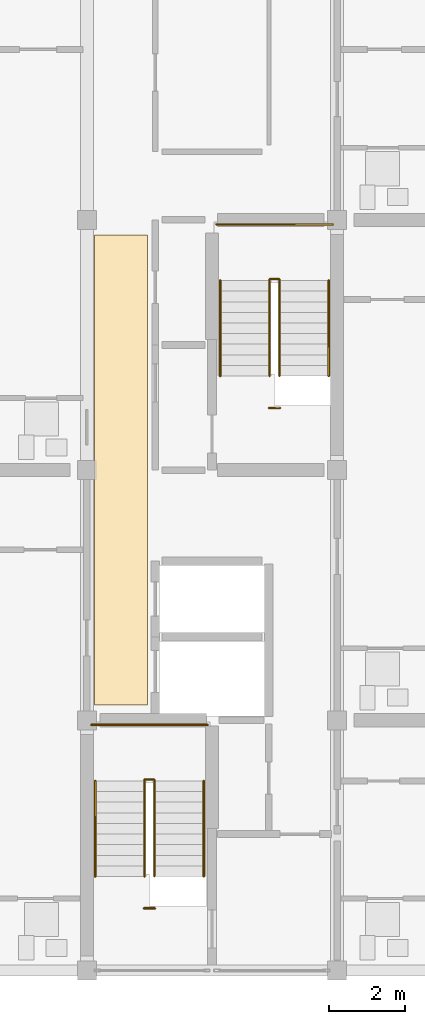
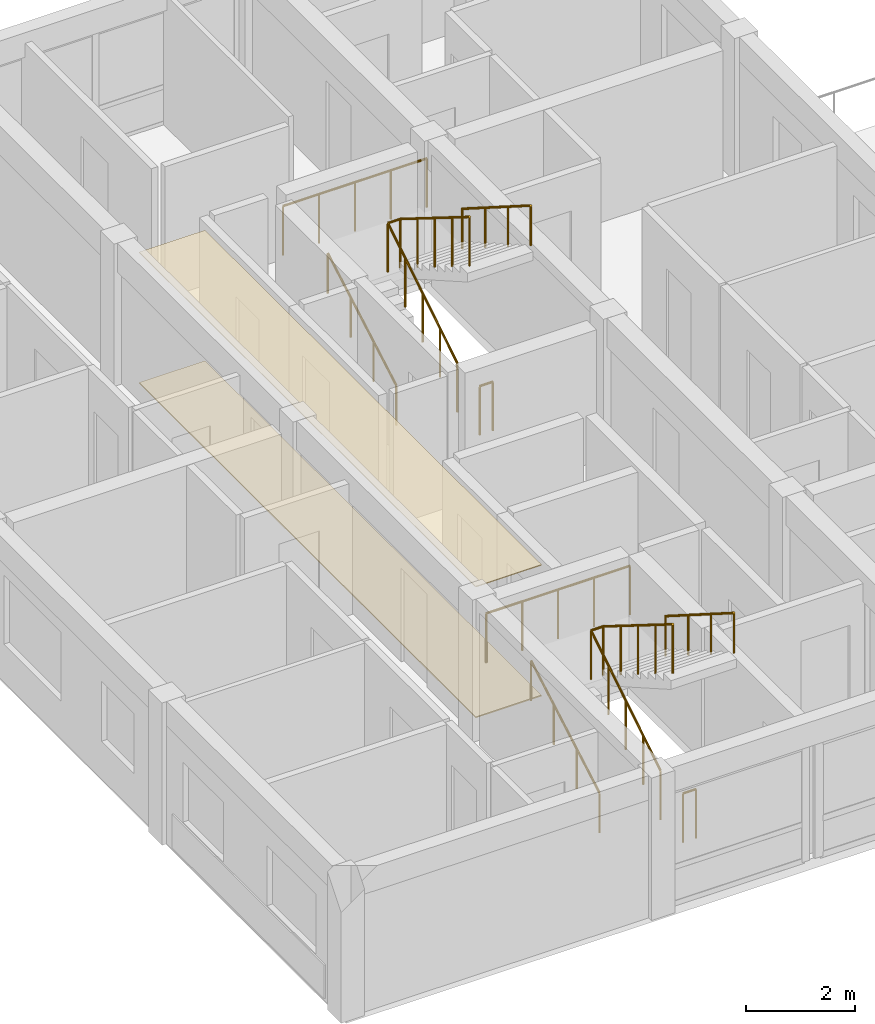
# One storey, part 45 of 51: 10 railings, 2 coverings.
"""IFC4 building model written with IfcOpenShell, lengths in metres."""

from ifc_helpers import new_model, si_unit, direction, frame, origin, origin_2d, place, context, subcontext, project, spatial, polyline, circle, outline, extrude, material, layer, layer_set, type_object, element, save


model = new_model("IFC4")

# Units and contexts
model_context = context("Model", 3, precision=1e-05, world=origin(), true_north=direction((0.0, 1.0)))
body_context = subcontext(model_context, "Body", "Model", "MODEL_VIEW")
ifc_project = project(units=[si_unit("LENGTHUNIT", "METRE"), si_unit("AREAUNIT", "SQUARE_METRE"), si_unit("VOLUMEUNIT", "CUBIC_METRE"), si_unit("PLANEANGLEUNIT", "RADIAN"), si_unit("MASSUNIT", "GRAM", prefix="KILO")], contexts=[model_context])

# Site, building, storey
site_placement = place(None, origin())
site = spatial("IfcSite", under=ifc_project, at=site_placement, CompositionType="ELEMENT")
building_placement = place(site_placement, origin())
building = spatial("IfcBuilding", under=site, at=building_placement, Name="Kernevlak Ridge Housing Community", CompositionType="ELEMENT")
storey_placement = place(building_placement, frame((0.0, 0.0, 8.39990234375)))
storey = spatial("IfcBuildingStorey", under=building, at=storey_placement, Name="L02", CompositionType="ELEMENT", Elevation=8.39990234375)

# Coverings
ifc_material_1 = material(Name="Acoustic perforated gypsum ceiling board")
ifc_layer_1 = layer(ifc_material_1, 0.02001953125, Name="Acoustic perforated gypsum ceiling board")
ifc_layer_set_1 = layer_set([ifc_layer_1], Name="Acoustic perforated gypsum ceiling board")
covering_type_1 = type_object("IfcCoveringType", Name="CV-01", PredefinedType="CEILING", material=ifc_layer_set_1)
covering_1_placement = place(storey_placement, frame((0.0, 0.0, 2.940185546875)))
element("IfcCovering", 1, at=covering_1_placement, inside=storey, type_object=covering_type_1, Name="Block C L02 lobby acoustic ceiling", PredefinedType="CEILING", context=body_context, shape_type="SweptSolid", body=[
    extrude(outline(polyline([(134.199951171875, 22.60009765625), (134.199951171875, 35.0), (132.800048828125, 35.0), (132.800048828125, 22.60009765625), (134.199951171875, 22.60009765625)])), origin(), (0.0, 0.0, 1.0), 0.02001953125),
])
ifc_material_2 = material(Name="Polished pale terrazzo tile flooring")
ifc_layer_2 = layer(ifc_material_2, 0.02490234375, Name="Polished pale terrazzo tile flooring")
ifc_layer_set_2 = layer_set([ifc_layer_2], Name="Polished pale terrazzo tile flooring")
covering_type_2 = type_object("IfcCoveringType", Name="CV-02", PredefinedType="FLOORING", material=ifc_layer_set_2)
covering_2_placement = place(storey_placement, origin())
element("IfcCovering", 2, at=covering_2_placement, inside=storey, type_object=covering_type_2, Name="Block C L02 lobby terrazzo flooring", PredefinedType="FLOORING", context=body_context, shape_type="SweptSolid", body=[
    extrude(outline(polyline([(134.199951171875, 22.60009765625), (134.199951171875, 35.0), (132.800048828125, 35.0), (132.800048828125, 22.60009765625), (134.199951171875, 22.60009765625)])), origin(), (0.0, 0.0, 1.0), 0.025146484375),
])

# Railings
ifc_material_3 = material(Name="Steel S355", Category="steel")
railing_type_1 = type_object("IfcRailingType", Name="GR-02", PredefinedType="GUARDRAIL", material=ifc_material_3)
railing_1_placement = place(storey_placement, frame((134.110107421875, 17.239990234375, 0.0)))
element("IfcRailing", 3, at=railing_1_placement, inside=storey, type_object=railing_type_1, Name="Stair ST-C1 L02 well slot guard", PredefinedType="GUARDRAIL", context=body_context, shape_type="SweptSolid", body=[
    extrude(circle(Radius=0.02392578125, at=origin_2d()), frame((0.0, 0.0, 1.09619140625), z_axis=(1.0, 0.0, 0.0), x_axis=(0.0, 1.0, 0.0)), (0.0, 0.0, 1.0), 0.27978515625),
    extrude(circle(Radius=0.02099609375, at=origin_2d()), origin(), (0.0, 0.0, 1.0), 1.072021484375),
    extrude(circle(Radius=0.02099609375, at=origin_2d()), frame((0.27978515625, 0.0, 0.0)), (0.0, 0.0, 1.0), 1.072021484375),
])
railing_2_placement = place(storey_placement, frame((134.1201171875, 18.080078125, 0.0)))
element("IfcRailing", 4, at=railing_2_placement, inside=storey, type_object=railing_type_1, Name="Stair ST-C1 L02 inner well guardrail", PredefinedType="GUARDRAIL", context=body_context, shape_type="SweptSolid", body=[
    extrude(circle(Radius=0.02392578125, at=origin_2d()), frame((0.0, 0.0, 1.09619140625), z_axis=(0.0, 0.847966497998, 0.530049826217), x_axis=(-1.0, 0.0, 0.0)), (0.0, 0.0, 1.0), 3.018798828125),
    extrude(circle(Radius=0.02392578125, at=origin_2d()), frame((0.0, 2.559814453125, 2.6962890625), z_axis=(1.0, 0.0, 0.0), x_axis=(0.0, 1.0, 0.0)), (0.0, 0.0, 1.0), 0.259765625),
    extrude(circle(Radius=0.02392578125, at=origin_2d()), frame((0.259765625, 2.559814453125, 2.6962890625), z_axis=(0.0, -0.847966497998, 0.530049826217), x_axis=(1.0, 0.0, 0.0)), (0.0, 0.0, 1.0), 3.018798828125),
    extrude(circle(Radius=0.02099609375, at=origin_2d()), origin(), (0.0, 0.0, 1.0), 1.072021484375),
    extrude(circle(Radius=0.02099609375, at=origin_2d()), frame((0.0, 0.639892578125, 0.39990234375)), (0.0, 0.0, 1.0), 1.072021484375),
    extrude(circle(Radius=0.02099609375, at=origin_2d()), frame((0.0, 1.27978515625, 0.800048828125)), (0.0, 0.0, 1.0), 1.072021484375),
    extrude(circle(Radius=0.02099609375, at=origin_2d()), frame((0.0, 1.919921875, 1.2001953125)), (0.0, 0.0, 1.0), 1.072021484375),
    extrude(circle(Radius=0.02099609375, at=origin_2d()), frame((0.0, 2.559814453125, 1.60009765625)), (0.0, 0.0, 1.0), 1.072021484375),
    extrude(circle(Radius=0.02099609375, at=origin_2d()), frame((0.259765625, 2.559814453125, 1.60009765625)), (0.0, 0.0, 1.0), 1.072021484375),
    extrude(circle(Radius=0.02099609375, at=origin_2d()), frame((0.259765625, 1.919921875, 2.0)), (0.0, 0.0, 1.0), 1.072021484375),
    extrude(circle(Radius=0.02099609375, at=origin_2d()), frame((0.259765625, 1.27978515625, 2.400146484375)), (0.0, 0.0, 1.0), 1.072021484375),
    extrude(circle(Radius=0.02099609375, at=origin_2d()), frame((0.259765625, 0.639892578125, 2.80029296875)), (0.0, 0.0, 1.0), 1.072021484375),
    extrude(circle(Radius=0.02099609375, at=origin_2d()), frame((0.259765625, 0.0, 3.2001953125)), (0.0, 0.0, 1.0), 1.072021484375),
])
railing_3_placement = place(storey_placement, frame((132.719970703125, 22.080078125, 1.60009765625)))
element("IfcRailing", 5, at=railing_3_placement, inside=storey, type_object=railing_type_1, Name="Stair ST-C1 L02 half-landing guard", PredefinedType="GUARDRAIL", context=body_context, shape_type="SweptSolid", body=[
    extrude(circle(Radius=0.02392578125, at=origin_2d()), frame((0.0, 0.0, 1.09619140625), z_axis=(1.0, 0.0, 0.0), x_axis=(0.0, 1.0, 0.0)), (0.0, 0.0, 1.0), 3.06005859375),
    extrude(circle(Radius=0.02099609375, at=origin_2d()), origin(), (0.0, 0.0, 1.0), 1.072021484375),
    extrude(circle(Radius=0.02099609375, at=origin_2d()), frame((0.76513671875, 0.0, 0.0)), (0.0, 0.0, 1.0), 1.072021484375),
    extrude(circle(Radius=0.02099609375, at=origin_2d()), frame((1.530029296875, 0.0, 0.0)), (0.0, 0.0, 1.0), 1.072021484375),
    extrude(circle(Radius=0.02099609375, at=origin_2d()), frame((2.294921875, 0.0, 0.0)), (0.0, 0.0, 1.0), 1.072021484375),
    extrude(circle(Radius=0.02099609375, at=origin_2d()), frame((3.06005859375, 0.0, 0.0)), (0.0, 0.0, 1.0), 1.072021484375),
])
railing_4_placement = place(storey_placement, frame((137.409912109375, 30.43994140625, 0.0)))
element("IfcRailing", 6, at=railing_4_placement, inside=storey, type_object=railing_type_1, Name="Stair ST-C2 L02 well slot guard", PredefinedType="GUARDRAIL", context=body_context, shape_type="SweptSolid", body=[
    extrude(circle(Radius=0.02392578125, at=origin_2d()), frame((0.0, 0.0, 1.09619140625), z_axis=(1.0, 0.0, 0.0), x_axis=(0.0, 1.0, 0.0)), (0.0, 0.0, 1.0), 0.280029296875),
    extrude(circle(Radius=0.02099609375, at=origin_2d()), origin(), (0.0, 0.0, 1.0), 1.072021484375),
    extrude(circle(Radius=0.02099609375, at=origin_2d()), frame((0.280029296875, 0.0, 0.0)), (0.0, 0.0, 1.0), 1.072021484375),
])
railing_5_placement = place(storey_placement, frame((137.419921875, 31.280029296875, 0.0)))
element("IfcRailing", 7, at=railing_5_placement, inside=storey, type_object=railing_type_1, Name="Stair ST-C2 L02 inner well guardrail", PredefinedType="GUARDRAIL", context=body_context, shape_type="SweptSolid", body=[
    extrude(circle(Radius=0.02392578125, at=origin_2d()), frame((0.0, 0.0, 1.09619140625), z_axis=(0.0, 0.847989217509, 0.530013478119), x_axis=(-1.0, 0.0, 0.0)), (0.0, 0.0, 1.0), 3.01904296875),
    extrude(circle(Radius=0.02392578125, at=origin_2d()), frame((0.0, 2.56005859375, 2.6962890625), z_axis=(1.0, 0.0, 0.0), x_axis=(0.0, 1.0, 0.0)), (0.0, 0.0, 1.0), 0.260009765625),
    extrude(circle(Radius=0.02392578125, at=origin_2d()), frame((0.260009765625, 2.56005859375, 2.6962890625), z_axis=(0.0, -0.847989217509, 0.530013478119), x_axis=(1.0, 0.0, 0.0)), (0.0, 0.0, 1.0), 3.01904296875),
    extrude(circle(Radius=0.02099609375, at=origin_2d()), origin(), (0.0, 0.0, 1.0), 1.072021484375),
    extrude(circle(Radius=0.02099609375, at=origin_2d()), frame((0.0, 0.64013671875, 0.39990234375)), (0.0, 0.0, 1.0), 1.072021484375),
    extrude(circle(Radius=0.02099609375, at=origin_2d()), frame((0.0, 1.280029296875, 0.800048828125)), (0.0, 0.0, 1.0), 1.072021484375),
    extrude(circle(Radius=0.02099609375, at=origin_2d()), frame((0.0, 1.919921875, 1.2001953125)), (0.0, 0.0, 1.0), 1.072021484375),
    extrude(circle(Radius=0.02099609375, at=origin_2d()), frame((0.0, 2.56005859375, 1.60009765625)), (0.0, 0.0, 1.0), 1.072021484375),
    extrude(circle(Radius=0.02099609375, at=origin_2d()), frame((0.260009765625, 2.56005859375, 1.60009765625)), (0.0, 0.0, 1.0), 1.072021484375),
    extrude(circle(Radius=0.02099609375, at=origin_2d()), frame((0.260009765625, 1.919921875, 2.0)), (0.0, 0.0, 1.0), 1.072021484375),
    extrude(circle(Radius=0.02099609375, at=origin_2d()), frame((0.260009765625, 1.280029296875, 2.400146484375)), (0.0, 0.0, 1.0), 1.072021484375),
    extrude(circle(Radius=0.02099609375, at=origin_2d()), frame((0.260009765625, 0.64013671875, 2.80029296875)), (0.0, 0.0, 1.0), 1.072021484375),
    extrude(circle(Radius=0.02099609375, at=origin_2d()), frame((0.260009765625, 0.0, 3.2001953125)), (0.0, 0.0, 1.0), 1.072021484375),
])
railing_6_placement = place(storey_placement, frame((136.02001953125, 35.280029296875, 1.60009765625)))
element("IfcRailing", 8, at=railing_6_placement, inside=storey, type_object=railing_type_1, Name="Stair ST-C2 L02 half-landing guard", PredefinedType="GUARDRAIL", context=body_context, shape_type="SweptSolid", body=[
    extrude(circle(Radius=0.02392578125, at=origin_2d()), frame((0.0, 0.0, 1.09619140625), z_axis=(1.0, 0.0, 0.0), x_axis=(0.0, 1.0, 0.0)), (0.0, 0.0, 1.0), 3.06005859375),
    extrude(circle(Radius=0.02099609375, at=origin_2d()), origin(), (0.0, 0.0, 1.0), 1.072021484375),
    extrude(circle(Radius=0.02099609375, at=origin_2d()), frame((0.76513671875, 0.0, 0.0)), (0.0, 0.0, 1.0), 1.072021484375),
    extrude(circle(Radius=0.02099609375, at=origin_2d()), frame((1.530029296875, 0.0, 0.0)), (0.0, 0.0, 1.0), 1.072021484375),
    extrude(circle(Radius=0.02099609375, at=origin_2d()), frame((2.294921875, 0.0, 0.0)), (0.0, 0.0, 1.0), 1.072021484375),
    extrude(circle(Radius=0.02099609375, at=origin_2d()), frame((3.06005859375, 0.0, 0.0)), (0.0, 0.0, 1.0), 1.072021484375),
])
ifc_material_4 = material(Name="Stainless steel EN 1.4401", Category="steel")
railing_type_2 = type_object("IfcRailingType", Name="HR-01", PredefinedType="HANDRAIL", material=ifc_material_4)
railing_7_placement = place(storey_placement, frame((132.820068359375, 18.080078125, 0.16015625)))
element("IfcRailing", 9, at=railing_7_placement, inside=storey, type_object=railing_type_2, Name="Stair ST-C1 L02 flight 1 handrail", PredefinedType="HANDRAIL", context=body_context, shape_type="SweptSolid", body=[
    extrude(circle(Radius=0.02392578125, at=origin_2d()), frame((0.0, 0.0, 0.89599609375), z_axis=(0.0, 0.868253494771, 0.496120820787), x_axis=(-1.0, 0.0, 0.0)), (0.0, 0.0, 1.0), 2.90234375),
    extrude(circle(Radius=0.02099609375, at=origin_2d()), origin(), (0.0, 0.0, 1.0), 0.871826171875),
    extrude(circle(Radius=0.02099609375, at=origin_2d()), frame((0.0, 0.840087890625, 0.47998046875)), (0.0, 0.0, 1.0), 0.871826171875),
    extrude(circle(Radius=0.02099609375, at=origin_2d()), frame((0.0, 1.679931640625, 0.9599609375)), (0.0, 0.0, 1.0), 0.871826171875),
    extrude(circle(Radius=0.02099609375, at=origin_2d()), frame((0.0, 2.52001953125, 1.43994140625)), (0.0, 0.0, 1.0), 0.871826171875),
])
railing_8_placement = place(storey_placement, frame((135.679931640625, 20.60009765625, 1.60009765625)))
element("IfcRailing", 10, at=railing_8_placement, inside=storey, type_object=railing_type_2, Name="Stair ST-C1 L02 flight 2 handrail", PredefinedType="HANDRAIL", context=body_context, shape_type="SweptSolid", body=[
    extrude(circle(Radius=0.02392578125, at=origin_2d()), frame((0.0, 0.0, 0.89599609375), z_axis=(0.0, -0.844199891302, 0.536028491338), x_axis=(1.0, 0.0, 0.0)), (0.0, 0.0, 1.0), 2.985107421875),
    extrude(circle(Radius=0.02099609375, at=origin_2d()), origin(), (0.0, 0.0, 1.0), 0.871826171875),
    extrude(circle(Radius=0.02099609375, at=origin_2d()), frame((0.0, -0.840087890625, 0.533447265625)), (0.0, 0.0, 1.0), 0.871826171875),
    extrude(circle(Radius=0.02099609375, at=origin_2d()), frame((0.0, -1.679931640625, 1.066650390625)), (0.0, 0.0, 1.0), 0.871826171875),
    extrude(circle(Radius=0.02099609375, at=origin_2d()), frame((0.0, -2.52001953125, 1.60009765625)), (0.0, 0.0, 1.0), 0.871826171875),
])
railing_9_placement = place(storey_placement, frame((136.1201171875, 31.280029296875, 0.16015625)))
element("IfcRailing", 11, at=railing_9_placement, inside=storey, type_object=railing_type_2, Name="Stair ST-C2 L02 flight 1 handrail", PredefinedType="HANDRAIL", context=body_context, shape_type="SweptSolid", body=[
    extrude(circle(Radius=0.02392578125, at=origin_2d()), frame((0.0, 0.0, 0.89599609375), z_axis=(0.0, 0.868253494771, 0.496120820787), x_axis=(-1.0, 0.0, 0.0)), (0.0, 0.0, 1.0), 2.90234375),
    extrude(circle(Radius=0.02099609375, at=origin_2d()), origin(), (0.0, 0.0, 1.0), 0.871826171875),
    extrude(circle(Radius=0.02099609375, at=origin_2d()), frame((0.0, 0.840087890625, 0.47998046875)), (0.0, 0.0, 1.0), 0.871826171875),
    extrude(circle(Radius=0.02099609375, at=origin_2d()), frame((0.0, 1.679931640625, 0.9599609375)), (0.0, 0.0, 1.0), 0.871826171875),
    extrude(circle(Radius=0.02099609375, at=origin_2d()), frame((0.0, 2.52001953125, 1.43994140625)), (0.0, 0.0, 1.0), 0.871826171875),
])
railing_10_placement = place(storey_placement, frame((138.97998046875, 33.800048828125, 1.60009765625)))
element("IfcRailing", 12, at=railing_10_placement, inside=storey, type_object=railing_type_2, Name="Stair ST-C2 L02 flight 2 handrail", PredefinedType="HANDRAIL", context=body_context, shape_type="SweptSolid", body=[
    extrude(circle(Radius=0.02392578125, at=origin_2d()), frame((0.0, 0.0, 0.89599609375), z_axis=(0.0, -0.844199891302, 0.536028491338), x_axis=(1.0, 0.0, 0.0)), (0.0, 0.0, 1.0), 2.985107421875),
    extrude(circle(Radius=0.02099609375, at=origin_2d()), origin(), (0.0, 0.0, 1.0), 0.871826171875),
    extrude(circle(Radius=0.02099609375, at=origin_2d()), frame((0.0, -0.840087890625, 0.533447265625)), (0.0, 0.0, 1.0), 0.871826171875),
    extrude(circle(Radius=0.02099609375, at=origin_2d()), frame((0.0, -1.679931640625, 1.066650390625)), (0.0, 0.0, 1.0), 0.871826171875),
    extrude(circle(Radius=0.02099609375, at=origin_2d()), frame((0.0, -2.52001953125, 1.60009765625)), (0.0, 0.0, 1.0), 0.871826171875),
])

save(model, "model.ifc")
